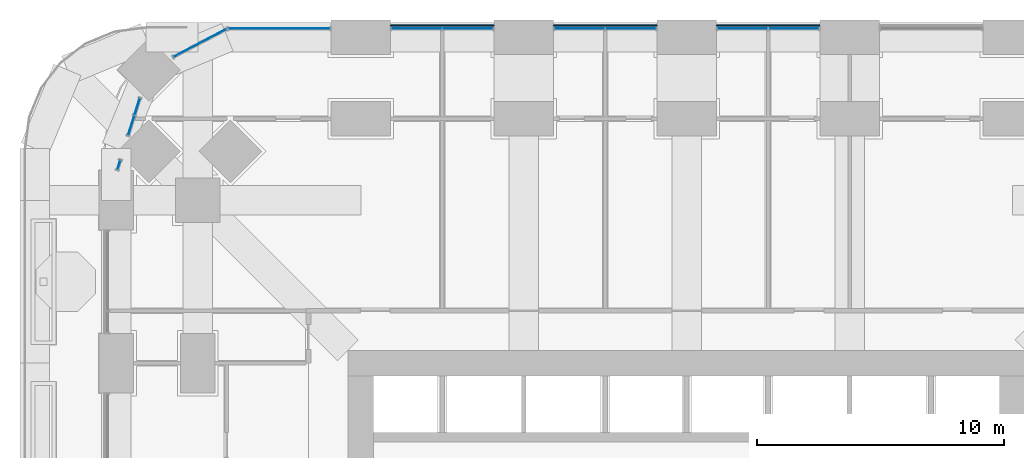
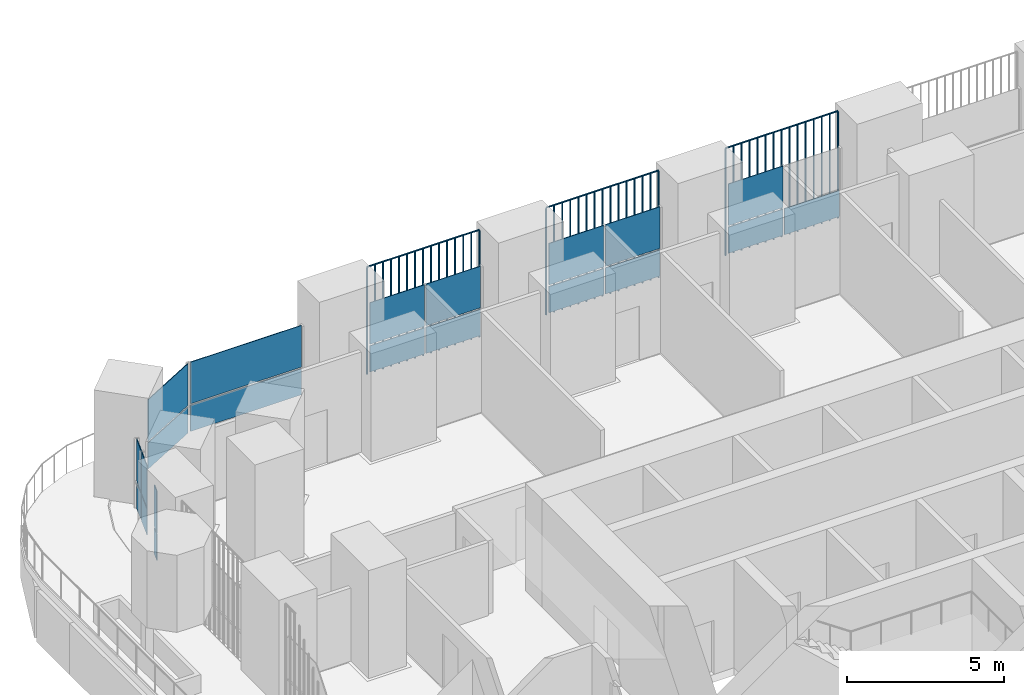
# One storey, part 15 of 27: 24 plates, 7 elements without a shape of their own.
"""IFC4 building model written with IfcOpenShell, lengths in metres."""

from ifc_helpers import new_model, si_unit, direction, frame, origin, origin_2d, place, context, subcontext, project, spatial, polyline, rectangle, outline, extrude, material, layer, layer_set, type_object, element, aggregate, save


model = new_model("IFC4")

# Units and contexts
model_context = context("Model", 3, precision=1e-05, world=origin(), true_north=direction((0.0, 1.0)))
body_context = subcontext(model_context, "Body", "Model", "MODEL_VIEW")
ifc_project = project(units=[si_unit("LENGTHUNIT", "METRE"), si_unit("AREAUNIT", "SQUARE_METRE"), si_unit("VOLUMEUNIT", "CUBIC_METRE"), si_unit("PLANEANGLEUNIT", "RADIAN"), si_unit("MASSUNIT", "GRAM", prefix="KILO")], contexts=[model_context])

# Site, building, storey
site_placement = place(None, origin())
site = spatial("IfcSite", under=ifc_project, at=site_placement, CompositionType="ELEMENT")
building_placement = place(site_placement, origin())
building = spatial("IfcBuilding", under=site, at=building_placement, Name="Cobogo Forest Laboratory Tower", CompositionType="ELEMENT")
storey_placement = place(building_placement, frame((0.0, 0.0, 82.199951171875)))
storey = spatial("IfcBuildingStorey", under=building, at=storey_placement, Name="L18", CompositionType="ELEMENT", Elevation=82.199951171875)

# Curtain wall, plates
ifc_material_1 = material(Name="Aluminium curtain wall", Category="aluminium")
curtain_wall_type = type_object("IfcCurtainWallType", Name="CW-1 unitised curtain wall, clear glazing, laboratory floors zones A and B", PredefinedType="USERDEFINED", material=ifc_material_1)
curtain_wall_1_placement = place(storey_placement, origin())
curtain_wall_1 = element("IfcCurtainWall", 1, at=curtain_wall_1_placement, inside=storey, type_object=curtain_wall_type, Name="Curtain wall 20 L18", ObjectType="UNITISED CURTAIN WALL", PredefinedType="USERDEFINED")
ifc_material_2 = material(Name="Clear insulated glass", Category="glass")
ifc_layer = layer(ifc_material_2, 0.028076171875)
ifc_layer_set = layer_set([ifc_layer], Name="GP-1 clear insulated glass unit 28")
plate_type_1 = type_object("IfcPlateType", Name="GP-1 clear insulated glass unit 28", PredefinedType="CURTAIN_PANEL", material=ifc_layer_set)
plate_1_placement = place(storey_placement, frame((30.735107421875, 46.550048828125, 0.0), z_axis=(0.0, 0.0, 1.0), x_axis=(-1.0, 0.0, 0.0)))
plate_1 = element("IfcPlate", 2, at=plate_1_placement, type_object=plate_type_1, Name="CW-1 panel 1.1", PredefinedType="CURTAIN_PANEL", context=body_context, shape_type="SweptSolid", body=[
    extrude(rectangle(XDim=2.010009765625, YDim=0.028076171875, at=origin_2d()), origin(), (0.0, 0.0, 1.0), 1.02001953125),
])
plate_2_placement = place(storey_placement, frame((28.6650390625, 46.550048828125, 0.0), z_axis=(0.0, 0.0, 1.0), x_axis=(-1.0, 0.0, 0.0)))
plate_2 = element("IfcPlate", 3, at=plate_2_placement, type_object=plate_type_1, Name="CW-1 panel 2.1", PredefinedType="CURTAIN_PANEL", context=body_context, shape_type="SweptSolid", body=[
    extrude(rectangle(XDim=2.010009765625, YDim=0.028076171875, at=origin_2d()), origin(), (0.0, 0.0, 1.0), 1.02001953125),
])
plate_3_placement = place(storey_placement, frame((28.6650390625, 46.550048828125, 1.080078125), z_axis=(0.0, 0.0, 1.0), x_axis=(-1.0, 0.0, 0.0)))
plate_3 = element("IfcPlate", 4, at=plate_3_placement, type_object=plate_type_1, Name="CW-1 panel 2.2", PredefinedType="CURTAIN_PANEL", context=body_context, shape_type="SweptSolid", body=[
    extrude(rectangle(XDim=2.010009765625, YDim=0.028076171875, at=origin_2d()), origin(), (0.0, 0.0, 1.0), 1.6201171875),
])
aggregate(curtain_wall_1, [plate_1, plate_2, plate_3])

curtain_wall_2_placement = place(storey_placement, origin())
curtain_wall_2 = element("IfcCurtainWall", 5, at=curtain_wall_2_placement, inside=storey, type_object=curtain_wall_type, Name="Curtain wall 21 L18", ObjectType="UNITISED CURTAIN WALL", PredefinedType="USERDEFINED")
plate_4_placement = place(storey_placement, frame((24.135009765625, 46.550048828125, 0.0), z_axis=(0.0, 0.0, 1.0), x_axis=(-1.0, 0.0, 0.0)))
plate_4 = element("IfcPlate", 6, at=plate_4_placement, type_object=plate_type_1, Name="CW-1 panel 1.1", PredefinedType="CURTAIN_PANEL", context=body_context, shape_type="SweptSolid", body=[
    extrude(rectangle(XDim=2.010009765625, YDim=0.028076171875, at=origin_2d()), origin(), (0.0, 0.0, 1.0), 1.02001953125),
])
plate_5_placement = place(storey_placement, frame((24.135009765625, 46.550048828125, 1.080078125), z_axis=(0.0, 0.0, 1.0), x_axis=(-1.0, 0.0, 0.0)))
plate_5 = element("IfcPlate", 7, at=plate_5_placement, type_object=plate_type_1, Name="CW-1 panel 1.2", PredefinedType="CURTAIN_PANEL", context=body_context, shape_type="SweptSolid", body=[
    extrude(rectangle(XDim=2.010009765625, YDim=0.028076171875, at=origin_2d()), origin(), (0.0, 0.0, 1.0), 1.6201171875),
])
plate_6_placement = place(storey_placement, frame((22.06494140625, 46.550048828125, 0.0), z_axis=(0.0, 0.0, 1.0), x_axis=(-1.0, 0.0, 0.0)))
plate_6 = element("IfcPlate", 8, at=plate_6_placement, type_object=plate_type_1, Name="CW-1 panel 2.1", PredefinedType="CURTAIN_PANEL", context=body_context, shape_type="SweptSolid", body=[
    extrude(rectangle(XDim=2.010009765625, YDim=0.028076171875, at=origin_2d()), origin(), (0.0, 0.0, 1.0), 1.02001953125),
])
plate_7_placement = place(storey_placement, frame((22.06494140625, 46.550048828125, 1.080078125), z_axis=(0.0, 0.0, 1.0), x_axis=(-1.0, 0.0, 0.0)))
plate_7 = element("IfcPlate", 9, at=plate_7_placement, type_object=plate_type_1, Name="CW-1 panel 2.2", PredefinedType="CURTAIN_PANEL", context=body_context, shape_type="SweptSolid", body=[
    extrude(rectangle(XDim=2.010009765625, YDim=0.028076171875, at=origin_2d()), origin(), (0.0, 0.0, 1.0), 1.6201171875),
])
aggregate(curtain_wall_2, [plate_4, plate_5, plate_6, plate_7])

curtain_wall_3_placement = place(storey_placement, origin())
curtain_wall_3 = element("IfcCurtainWall", 10, at=curtain_wall_3_placement, inside=storey, type_object=curtain_wall_type, Name="Curtain wall 22 L18", ObjectType="UNITISED CURTAIN WALL", PredefinedType="USERDEFINED")
plate_8_placement = place(storey_placement, frame((17.534912109375, 46.550048828125, 0.0), z_axis=(0.0, 0.0, 1.0), x_axis=(-1.0, 0.0, 0.0)))
plate_8 = element("IfcPlate", 11, at=plate_8_placement, type_object=plate_type_1, Name="CW-1 panel 1.1", PredefinedType="CURTAIN_PANEL", context=body_context, shape_type="SweptSolid", body=[
    extrude(rectangle(XDim=2.010009765625, YDim=0.028076171875, at=origin_2d()), origin(), (0.0, 0.0, 1.0), 1.02001953125),
])
plate_9_placement = place(storey_placement, frame((17.534912109375, 46.550048828125, 1.080078125), z_axis=(0.0, 0.0, 1.0), x_axis=(-1.0, 0.0, 0.0)))
plate_9 = element("IfcPlate", 12, at=plate_9_placement, type_object=plate_type_1, Name="CW-1 panel 1.2", PredefinedType="CURTAIN_PANEL", context=body_context, shape_type="SweptSolid", body=[
    extrude(rectangle(XDim=2.010009765625, YDim=0.028076171875, at=origin_2d()), origin(), (0.0, 0.0, 1.0), 1.6201171875),
])
plate_10_placement = place(storey_placement, frame((15.465087890625, 46.550048828125, 0.0), z_axis=(0.0, 0.0, 1.0), x_axis=(-1.0, 0.0, 0.0)))
plate_10 = element("IfcPlate", 13, at=plate_10_placement, type_object=plate_type_1, Name="CW-1 panel 2.1", PredefinedType="CURTAIN_PANEL", context=body_context, shape_type="SweptSolid", body=[
    extrude(rectangle(XDim=2.010009765625, YDim=0.028076171875, at=origin_2d()), origin(), (0.0, 0.0, 1.0), 1.02001953125),
])
plate_11_placement = place(storey_placement, frame((15.465087890625, 46.550048828125, 1.080078125), z_axis=(0.0, 0.0, 1.0), x_axis=(-1.0, 0.0, 0.0)))
plate_11 = element("IfcPlate", 14, at=plate_11_placement, type_object=plate_type_1, Name="CW-1 panel 2.2", PredefinedType="CURTAIN_PANEL", context=body_context, shape_type="SweptSolid", body=[
    extrude(rectangle(XDim=2.010009765625, YDim=0.028076171875, at=origin_2d()), origin(), (0.0, 0.0, 1.0), 1.6201171875),
])
aggregate(curtain_wall_3, [plate_8, plate_9, plate_10, plate_11])

curtain_wall_4_placement = place(storey_placement, origin())
curtain_wall_4 = element("IfcCurtainWall", 15, at=curtain_wall_4_placement, inside=storey, type_object=curtain_wall_type, Name="Curtain wall 23 L18", ObjectType="UNITISED CURTAIN WALL", PredefinedType="USERDEFINED")
plate_12_placement = place(storey_placement, frame((9.89990234375, 46.550048828125, 0.0), z_axis=(0.0, 0.0, 1.0), x_axis=(-1.0, 0.0, 0.0)))
plate_12 = element("IfcPlate", 16, at=plate_12_placement, type_object=plate_type_1, Name="CW-1 panel 1.1", PredefinedType="CURTAIN_PANEL", context=body_context, shape_type="SweptSolid", body=[
    extrude(rectangle(XDim=4.080078125, YDim=0.028076171875, at=origin_2d()), origin(), (0.0, 0.0, 1.0), 1.02001953125),
])
plate_13_placement = place(storey_placement, frame((9.89990234375, 46.550048828125, 1.080078125), z_axis=(0.0, 0.0, 1.0), x_axis=(-1.0, 0.0, 0.0)))
plate_13 = element("IfcPlate", 17, at=plate_13_placement, type_object=plate_type_1, Name="CW-1 panel 1.2", PredefinedType="CURTAIN_PANEL", context=body_context, shape_type="SweptSolid", body=[
    extrude(rectangle(XDim=4.080078125, YDim=0.028076171875, at=origin_2d()), origin(), (0.0, 0.0, 1.0), 1.6201171875),
])
aggregate(curtain_wall_4, [plate_12, plate_13])

curtain_wall_5_placement = place(storey_placement, origin())
curtain_wall_5 = element("IfcCurtainWall", 18, at=curtain_wall_5_placement, inside=storey, type_object=curtain_wall_type, Name="Curtain wall 24 L18", ObjectType="UNITISED CURTAIN WALL", PredefinedType="USERDEFINED")
plate_14_placement = place(storey_placement, frame((6.686767578125, 45.966552734375, 0.0), z_axis=(0.0, 0.0, 1.0), x_axis=(-0.885686598126, -0.4642835878, 0.0)))
plate_14 = element("IfcPlate", 19, at=plate_14_placement, type_object=plate_type_1, Name="CW-1 panel 1.1", PredefinedType="CURTAIN_PANEL", context=body_context, shape_type="SweptSolid", body=[
    extrude(rectangle(XDim=2.3935546875, YDim=0.028076171875, at=origin_2d()), origin(), (0.0, 0.0, 1.0), 1.02001953125),
])
plate_15_placement = place(storey_placement, frame((6.686767578125, 45.966552734375, 1.080078125), z_axis=(0.0, 0.0, 1.0), x_axis=(-0.885686598126, -0.4642835878, 0.0)))
plate_15 = element("IfcPlate", 20, at=plate_15_placement, type_object=plate_type_1, Name="CW-1 panel 1.2", PredefinedType="CURTAIN_PANEL", context=body_context, shape_type="SweptSolid", body=[
    extrude(rectangle(XDim=2.3935546875, YDim=0.028076171875, at=origin_2d()), origin(), (0.0, 0.0, 1.0), 1.6201171875),
])
aggregate(curtain_wall_5, [plate_14, plate_15])

curtain_wall_6_placement = place(storey_placement, origin())
curtain_wall_6 = element("IfcCurtainWall", 21, at=curtain_wall_6_placement, inside=storey, type_object=curtain_wall_type, Name="Curtain wall 25 L18", ObjectType="UNITISED CURTAIN WALL", PredefinedType="USERDEFINED")
plate_16_placement = place(storey_placement, frame((4.1484375, 43.39453125, 0.0), z_axis=(0.0, 0.0, 1.0), x_axis=(-0.301135106076, -0.953581484661, 0.0)))
plate_16 = element("IfcPlate", 22, at=plate_16_placement, type_object=plate_type_1, Name="CW-1 panel 1.1", PredefinedType="CURTAIN_PANEL", context=body_context, shape_type="SweptSolid", body=[
    extrude(rectangle(XDim=0.677490234375, YDim=0.028076171875, at=origin_2d()), origin(), (0.0, 0.0, 1.0), 1.02001953125),
])
plate_17_placement = place(storey_placement, frame((4.1484375, 43.39453125, 1.080078125), z_axis=(0.0, 0.0, 1.0), x_axis=(-0.301135106076, -0.953581484661, 0.0)))
plate_17 = element("IfcPlate", 23, at=plate_17_placement, type_object=plate_type_1, Name="CW-1 panel 1.2", PredefinedType="CURTAIN_PANEL", context=body_context, shape_type="SweptSolid", body=[
    extrude(rectangle(XDim=0.677490234375, YDim=0.028076171875, at=origin_2d()), origin(), (0.0, 0.0, 1.0), 1.6201171875),
])
plate_18_placement = place(storey_placement, frame((3.90673828125, 42.629638671875, 0.0), z_axis=(0.0, 0.0, 1.0), x_axis=(-0.301135106076, -0.953581484661, 0.0)))
plate_18 = element("IfcPlate", 24, at=plate_18_placement, type_object=plate_type_1, Name="CW-1 panel 2.1", PredefinedType="CURTAIN_PANEL", context=body_context, shape_type="SweptSolid", body=[
    extrude(rectangle(XDim=0.806884765625, YDim=0.028076171875, at=origin_2d()), origin(), (0.0, 0.0, 1.0), 1.02001953125),
])
plate_19_placement = place(storey_placement, frame((3.90673828125, 42.629638671875, 1.080078125), z_axis=(0.0, 0.0, 1.0), x_axis=(-0.301135106076, -0.953581484661, 0.0)))
plate_19 = element("IfcPlate", 25, at=plate_19_placement, type_object=plate_type_1, Name="CW-1 panel 2.2", PredefinedType="CURTAIN_PANEL", context=body_context, shape_type="SweptSolid", body=[
    extrude(rectangle(XDim=0.806884765625, YDim=0.028076171875, at=origin_2d()), origin(), (0.0, 0.0, 1.0), 1.6201171875),
])
aggregate(curtain_wall_6, [plate_16, plate_17, plate_18, plate_19])

curtain_wall_7_placement = place(storey_placement, origin())
curtain_wall_7 = element("IfcCurtainWall", 26, at=curtain_wall_7_placement, inside=storey, type_object=curtain_wall_type, Name="Curtain wall 26 L18", ObjectType="UNITISED CURTAIN WALL", PredefinedType="USERDEFINED")
plate_20_placement = place(storey_placement, frame((3.402587890625, 41.033447265625, 0.0), z_axis=(0.0, 0.0, 1.0), x_axis=(-0.301134593201, -0.953581646624, 0.0)))
plate_20 = element("IfcPlate", 27, at=plate_20_placement, type_object=plate_type_1, Name="CW-1 panel 1.1", PredefinedType="CURTAIN_PANEL", context=body_context, shape_type="SweptSolid", body=[
    extrude(rectangle(XDim=0.36962890625, YDim=0.028076171875, at=origin_2d()), origin(), (0.0, 0.0, 1.0), 1.02001953125),
])
plate_21_placement = place(storey_placement, frame((3.402587890625, 41.033447265625, 1.080078125), z_axis=(0.0, 0.0, 1.0), x_axis=(-0.301134593201, -0.953581646624, 0.0)))
plate_21 = element("IfcPlate", 28, at=plate_21_placement, type_object=plate_type_1, Name="CW-1 panel 1.2", PredefinedType="CURTAIN_PANEL", context=body_context, shape_type="SweptSolid", body=[
    extrude(rectangle(XDim=0.36962890625, YDim=0.028076171875, at=origin_2d()), origin(), (0.0, 0.0, 1.0), 1.6201171875),
])
aggregate(curtain_wall_7, [plate_20, plate_21])

# Plates
ifc_material_3 = material(Name="Terracotta", Category="masonry")
plate_type_2 = type_object("IfcPlateType", Name="TB1 terracotta baguette screen", PredefinedType="USERDEFINED", material=ifc_material_3)
plate_22_placement = place(storey_placement, frame((14.43115234375, 46.677978515625, -0.14990234375)))
element("IfcPlate", 29, at=plate_22_placement, inside=storey, type_object=plate_type_2, Name="Baguette screen N1 L18", ObjectType="BAGUETTE SCREEN", PredefinedType="USERDEFINED", context=body_context, shape_type="SweptSolid", body=[
    extrude(outline(polyline([(0.02880859375, 0.011962890625), (0.011962890625, 0.02880859375), (-0.011962890625, 0.02880859375), (-0.02880859375, 0.011962890625), (-0.02880859375, -0.011962890625), (-0.011962890625, -0.02880859375), (0.011962890625, -0.02880859375), (0.02880859375, -0.011962890625), (0.02880859375, 0.011962890625)])), frame((0.0, 0.0, 4.168701171875), z_axis=(1.0, 0.0, 0.0), x_axis=(0.0, 1.0, 0.0)), (0.0, 0.0, 1.0), 4.1376953125),
    extrude(outline(polyline([(0.02880859375, 0.011962890625), (0.011962890625, 0.02880859375), (-0.011962890625, 0.02880859375), (-0.02880859375, 0.011962890625), (-0.02880859375, -0.011962890625), (-0.011962890625, -0.02880859375), (0.011962890625, -0.02880859375), (0.02880859375, -0.011962890625), (0.02880859375, 0.011962890625)])), origin(), (0.0, 0.0, 1.0), 4.137451171875),
    extrude(outline(polyline([(0.02880859375, 0.011962890625), (0.011962890625, 0.02880859375), (-0.011962890625, 0.02880859375), (-0.02880859375, 0.011962890625), (-0.02880859375, -0.011962890625), (-0.011962890625, -0.02880859375), (0.011962890625, -0.02880859375), (0.02880859375, -0.011962890625), (0.02880859375, 0.011962890625)])), frame((0.295654296875, 0.0, 0.0)), (0.0, 0.0, 1.0), 4.137451171875),
    extrude(outline(polyline([(0.02880859375, 0.011962890625), (0.011962890625, 0.02880859375), (-0.011962890625, 0.02880859375), (-0.02880859375, 0.011962890625), (-0.02880859375, -0.011962890625), (-0.011962890625, -0.02880859375), (0.011962890625, -0.02880859375), (0.02880859375, -0.011962890625), (0.02880859375, 0.011962890625)])), frame((0.591064453125, 0.0, 0.0)), (0.0, 0.0, 1.0), 4.137451171875),
    extrude(outline(polyline([(0.02880859375, 0.011962890625), (0.011962890625, 0.02880859375), (-0.011962890625, 0.02880859375), (-0.02880859375, 0.011962890625), (-0.02880859375, -0.011962890625), (-0.011962890625, -0.02880859375), (0.011962890625, -0.02880859375), (0.02880859375, -0.011962890625), (0.02880859375, 0.011962890625)])), frame((0.88671875, 0.0, 0.0)), (0.0, 0.0, 1.0), 4.137451171875),
    extrude(outline(polyline([(0.02880859375, 0.011962890625), (0.011962890625, 0.02880859375), (-0.011962890625, 0.02880859375), (-0.02880859375, 0.011962890625), (-0.02880859375, -0.011962890625), (-0.011962890625, -0.02880859375), (0.011962890625, -0.02880859375), (0.02880859375, -0.011962890625), (0.02880859375, 0.011962890625)])), frame((1.18212890625, 0.0, 0.0)), (0.0, 0.0, 1.0), 4.137451171875),
    extrude(outline(polyline([(0.02880859375, 0.011962890625), (0.011962890625, 0.02880859375), (-0.011962890625, 0.02880859375), (-0.02880859375, 0.011962890625), (-0.02880859375, -0.011962890625), (-0.011962890625, -0.02880859375), (0.011962890625, -0.02880859375), (0.02880859375, -0.011962890625), (0.02880859375, 0.011962890625)])), frame((1.477783203125, 0.0, 0.0)), (0.0, 0.0, 1.0), 4.137451171875),
    extrude(outline(polyline([(0.02880859375, 0.011962890625), (0.011962890625, 0.02880859375), (-0.011962890625, 0.02880859375), (-0.02880859375, 0.011962890625), (-0.02880859375, -0.011962890625), (-0.011962890625, -0.02880859375), (0.011962890625, -0.02880859375), (0.02880859375, -0.011962890625), (0.02880859375, 0.011962890625)])), frame((1.773193359375, 0.0, 0.0)), (0.0, 0.0, 1.0), 4.137451171875),
    extrude(outline(polyline([(0.02880859375, 0.011962890625), (0.011962890625, 0.02880859375), (-0.011962890625, 0.02880859375), (-0.02880859375, 0.011962890625), (-0.02880859375, -0.011962890625), (-0.011962890625, -0.02880859375), (0.011962890625, -0.02880859375), (0.02880859375, -0.011962890625), (0.02880859375, 0.011962890625)])), frame((2.06884765625, 0.0, 0.0)), (0.0, 0.0, 1.0), 4.137451171875),
    extrude(outline(polyline([(0.02880859375, 0.011962890625), (0.011962890625, 0.02880859375), (-0.011962890625, 0.02880859375), (-0.02880859375, 0.011962890625), (-0.02880859375, -0.011962890625), (-0.011962890625, -0.02880859375), (0.011962890625, -0.02880859375), (0.02880859375, -0.011962890625), (0.02880859375, 0.011962890625)])), frame((2.364501953125, 0.0, 0.0)), (0.0, 0.0, 1.0), 4.137451171875),
    extrude(outline(polyline([(0.02880859375, 0.011962890625), (0.011962890625, 0.02880859375), (-0.011962890625, 0.02880859375), (-0.02880859375, 0.011962890625), (-0.02880859375, -0.011962890625), (-0.011962890625, -0.02880859375), (0.011962890625, -0.02880859375), (0.02880859375, -0.011962890625), (0.02880859375, 0.011962890625)])), frame((2.659912109375, 0.0, 0.0)), (0.0, 0.0, 1.0), 4.137451171875),
    extrude(outline(polyline([(0.02880859375, 0.011962890625), (0.011962890625, 0.02880859375), (-0.011962890625, 0.02880859375), (-0.02880859375, 0.011962890625), (-0.02880859375, -0.011962890625), (-0.011962890625, -0.02880859375), (0.011962890625, -0.02880859375), (0.02880859375, -0.011962890625), (0.02880859375, 0.011962890625)])), frame((2.95556640625, 0.0, 0.0)), (0.0, 0.0, 1.0), 4.137451171875),
    extrude(outline(polyline([(0.02880859375, 0.011962890625), (0.011962890625, 0.02880859375), (-0.011962890625, 0.02880859375), (-0.02880859375, 0.011962890625), (-0.02880859375, -0.011962890625), (-0.011962890625, -0.02880859375), (0.011962890625, -0.02880859375), (0.02880859375, -0.011962890625), (0.02880859375, 0.011962890625)])), frame((3.2509765625, 0.0, 0.0)), (0.0, 0.0, 1.0), 4.137451171875),
    extrude(outline(polyline([(0.02880859375, 0.011962890625), (0.011962890625, 0.02880859375), (-0.011962890625, 0.02880859375), (-0.02880859375, 0.011962890625), (-0.02880859375, -0.011962890625), (-0.011962890625, -0.02880859375), (0.011962890625, -0.02880859375), (0.02880859375, -0.011962890625), (0.02880859375, 0.011962890625)])), frame((3.546630859375, 0.0, 0.0)), (0.0, 0.0, 1.0), 4.137451171875),
    extrude(outline(polyline([(0.02880859375, 0.011962890625), (0.011962890625, 0.02880859375), (-0.011962890625, 0.02880859375), (-0.02880859375, 0.011962890625), (-0.02880859375, -0.011962890625), (-0.011962890625, -0.02880859375), (0.011962890625, -0.02880859375), (0.02880859375, -0.011962890625), (0.02880859375, 0.011962890625)])), frame((3.842041015625, 0.0, 0.0)), (0.0, 0.0, 1.0), 4.137451171875),
    extrude(outline(polyline([(0.02880859375, 0.011962890625), (0.011962890625, 0.02880859375), (-0.011962890625, 0.02880859375), (-0.02880859375, 0.011962890625), (-0.02880859375, -0.011962890625), (-0.011962890625, -0.02880859375), (0.011962890625, -0.02880859375), (0.02880859375, -0.011962890625), (0.02880859375, 0.011962890625)])), frame((4.1376953125, 0.0, 0.0)), (0.0, 0.0, 1.0), 4.137451171875),
])
plate_23_placement = place(storey_placement, frame((21.03125, 46.677978515625, -0.14990234375)))
element("IfcPlate", 30, at=plate_23_placement, inside=storey, type_object=plate_type_2, Name="Baguette screen N2 L18", ObjectType="BAGUETTE SCREEN", PredefinedType="USERDEFINED", context=body_context, shape_type="SweptSolid", body=[
    extrude(outline(polyline([(0.02880859375, 0.011962890625), (0.011962890625, 0.02880859375), (-0.011962890625, 0.02880859375), (-0.02880859375, 0.011962890625), (-0.02880859375, -0.011962890625), (-0.011962890625, -0.02880859375), (0.011962890625, -0.02880859375), (0.02880859375, -0.011962890625), (0.02880859375, 0.011962890625)])), frame((0.0, 0.0, 4.168701171875), z_axis=(1.0, 0.0, 0.0), x_axis=(0.0, 1.0, 0.0)), (0.0, 0.0, 1.0), 4.137451171875),
    extrude(outline(polyline([(0.02880859375, 0.011962890625), (0.011962890625, 0.02880859375), (-0.011962890625, 0.02880859375), (-0.02880859375, 0.011962890625), (-0.02880859375, -0.011962890625), (-0.011962890625, -0.02880859375), (0.011962890625, -0.02880859375), (0.02880859375, -0.011962890625), (0.02880859375, 0.011962890625)])), origin(), (0.0, 0.0, 1.0), 4.137451171875),
    extrude(outline(polyline([(0.02880859375, 0.011962890625), (0.011962890625, 0.02880859375), (-0.011962890625, 0.02880859375), (-0.02880859375, 0.011962890625), (-0.02880859375, -0.011962890625), (-0.011962890625, -0.02880859375), (0.011962890625, -0.02880859375), (0.02880859375, -0.011962890625), (0.02880859375, 0.011962890625)])), frame((0.29541015625, 0.0, 0.0)), (0.0, 0.0, 1.0), 4.137451171875),
    extrude(outline(polyline([(0.02880859375, 0.011962890625), (0.011962890625, 0.02880859375), (-0.011962890625, 0.02880859375), (-0.02880859375, 0.011962890625), (-0.02880859375, -0.011962890625), (-0.011962890625, -0.02880859375), (0.011962890625, -0.02880859375), (0.02880859375, -0.011962890625), (0.02880859375, 0.011962890625)])), frame((0.591064453125, 0.0, 0.0)), (0.0, 0.0, 1.0), 4.137451171875),
    extrude(outline(polyline([(0.02880859375, 0.011962890625), (0.011962890625, 0.02880859375), (-0.011962890625, 0.02880859375), (-0.02880859375, 0.011962890625), (-0.02880859375, -0.011962890625), (-0.011962890625, -0.02880859375), (0.011962890625, -0.02880859375), (0.02880859375, -0.011962890625), (0.02880859375, 0.011962890625)])), frame((0.88671875, 0.0, 0.0)), (0.0, 0.0, 1.0), 4.137451171875),
    extrude(outline(polyline([(0.02880859375, 0.011962890625), (0.011962890625, 0.02880859375), (-0.011962890625, 0.02880859375), (-0.02880859375, 0.011962890625), (-0.02880859375, -0.011962890625), (-0.011962890625, -0.02880859375), (0.011962890625, -0.02880859375), (0.02880859375, -0.011962890625), (0.02880859375, 0.011962890625)])), frame((1.18212890625, 0.0, 0.0)), (0.0, 0.0, 1.0), 4.137451171875),
    extrude(outline(polyline([(0.02880859375, 0.011962890625), (0.011962890625, 0.02880859375), (-0.011962890625, 0.02880859375), (-0.02880859375, 0.011962890625), (-0.02880859375, -0.011962890625), (-0.011962890625, -0.02880859375), (0.011962890625, -0.02880859375), (0.02880859375, -0.011962890625), (0.02880859375, 0.011962890625)])), frame((1.4775390625, 0.0, 0.0)), (0.0, 0.0, 1.0), 4.137451171875),
    extrude(outline(polyline([(0.02880859375, 0.011962890625), (0.011962890625, 0.02880859375), (-0.011962890625, 0.02880859375), (-0.02880859375, 0.011962890625), (-0.02880859375, -0.011962890625), (-0.011962890625, -0.02880859375), (0.011962890625, -0.02880859375), (0.02880859375, -0.011962890625), (0.02880859375, 0.011962890625)])), frame((1.773193359375, 0.0, 0.0)), (0.0, 0.0, 1.0), 4.137451171875),
    extrude(outline(polyline([(0.02880859375, 0.011962890625), (0.011962890625, 0.02880859375), (-0.011962890625, 0.02880859375), (-0.02880859375, 0.011962890625), (-0.02880859375, -0.011962890625), (-0.011962890625, -0.02880859375), (0.011962890625, -0.02880859375), (0.02880859375, -0.011962890625), (0.02880859375, 0.011962890625)])), frame((2.06884765625, 0.0, 0.0)), (0.0, 0.0, 1.0), 4.137451171875),
    extrude(outline(polyline([(0.02880859375, 0.011962890625), (0.011962890625, 0.02880859375), (-0.011962890625, 0.02880859375), (-0.02880859375, 0.011962890625), (-0.02880859375, -0.011962890625), (-0.011962890625, -0.02880859375), (0.011962890625, -0.02880859375), (0.02880859375, -0.011962890625), (0.02880859375, 0.011962890625)])), frame((2.3642578125, 0.0, 0.0)), (0.0, 0.0, 1.0), 4.137451171875),
    extrude(outline(polyline([(0.02880859375, 0.011962890625), (0.011962890625, 0.02880859375), (-0.011962890625, 0.02880859375), (-0.02880859375, 0.011962890625), (-0.02880859375, -0.011962890625), (-0.011962890625, -0.02880859375), (0.011962890625, -0.02880859375), (0.02880859375, -0.011962890625), (0.02880859375, 0.011962890625)])), frame((2.65966796875, 0.0, 0.0)), (0.0, 0.0, 1.0), 4.137451171875),
    extrude(outline(polyline([(0.02880859375, 0.011962890625), (0.011962890625, 0.02880859375), (-0.011962890625, 0.02880859375), (-0.02880859375, 0.011962890625), (-0.02880859375, -0.011962890625), (-0.011962890625, -0.02880859375), (0.011962890625, -0.02880859375), (0.02880859375, -0.011962890625), (0.02880859375, 0.011962890625)])), frame((2.955322265625, 0.0, 0.0)), (0.0, 0.0, 1.0), 4.137451171875),
    extrude(outline(polyline([(0.02880859375, 0.011962890625), (0.011962890625, 0.02880859375), (-0.011962890625, 0.02880859375), (-0.02880859375, 0.011962890625), (-0.02880859375, -0.011962890625), (-0.011962890625, -0.02880859375), (0.011962890625, -0.02880859375), (0.02880859375, -0.011962890625), (0.02880859375, 0.011962890625)])), frame((3.2509765625, 0.0, 0.0)), (0.0, 0.0, 1.0), 4.137451171875),
    extrude(outline(polyline([(0.02880859375, 0.011962890625), (0.011962890625, 0.02880859375), (-0.011962890625, 0.02880859375), (-0.02880859375, 0.011962890625), (-0.02880859375, -0.011962890625), (-0.011962890625, -0.02880859375), (0.011962890625, -0.02880859375), (0.02880859375, -0.011962890625), (0.02880859375, 0.011962890625)])), frame((3.54638671875, 0.0, 0.0)), (0.0, 0.0, 1.0), 4.137451171875),
    extrude(outline(polyline([(0.02880859375, 0.011962890625), (0.011962890625, 0.02880859375), (-0.011962890625, 0.02880859375), (-0.02880859375, 0.011962890625), (-0.02880859375, -0.011962890625), (-0.011962890625, -0.02880859375), (0.011962890625, -0.02880859375), (0.02880859375, -0.011962890625), (0.02880859375, 0.011962890625)])), frame((3.841796875, 0.0, 0.0)), (0.0, 0.0, 1.0), 4.137451171875),
    extrude(outline(polyline([(0.02880859375, 0.011962890625), (0.011962890625, 0.02880859375), (-0.011962890625, 0.02880859375), (-0.02880859375, 0.011962890625), (-0.02880859375, -0.011962890625), (-0.011962890625, -0.02880859375), (0.011962890625, -0.02880859375), (0.02880859375, -0.011962890625), (0.02880859375, 0.011962890625)])), frame((4.137451171875, 0.0, 0.0)), (0.0, 0.0, 1.0), 4.137451171875),
])
plate_24_placement = place(storey_placement, frame((27.63134765625, 46.677978515625, -0.14990234375)))
element("IfcPlate", 31, at=plate_24_placement, inside=storey, type_object=plate_type_2, Name="Baguette screen N3 L18", ObjectType="BAGUETTE SCREEN", PredefinedType="USERDEFINED", context=body_context, shape_type="SweptSolid", body=[
    extrude(outline(polyline([(0.02880859375, 0.011962890625), (0.011962890625, 0.02880859375), (-0.011962890625, 0.02880859375), (-0.02880859375, 0.011962890625), (-0.02880859375, -0.011962890625), (-0.011962890625, -0.02880859375), (0.011962890625, -0.02880859375), (0.02880859375, -0.011962890625), (0.02880859375, 0.011962890625)])), frame((0.0, 0.0, 4.168701171875), z_axis=(1.0, 0.0, 0.0), x_axis=(0.0, 1.0, 0.0)), (0.0, 0.0, 1.0), 4.137451171875),
    extrude(outline(polyline([(0.02880859375, 0.011962890625), (0.011962890625, 0.02880859375), (-0.011962890625, 0.02880859375), (-0.02880859375, 0.011962890625), (-0.02880859375, -0.011962890625), (-0.011962890625, -0.02880859375), (0.011962890625, -0.02880859375), (0.02880859375, -0.011962890625), (0.02880859375, 0.011962890625)])), origin(), (0.0, 0.0, 1.0), 4.137451171875),
    extrude(outline(polyline([(0.02880859375, 0.011962890625), (0.011962890625, 0.02880859375), (-0.011962890625, 0.02880859375), (-0.02880859375, 0.011962890625), (-0.02880859375, -0.011962890625), (-0.011962890625, -0.02880859375), (0.011962890625, -0.02880859375), (0.02880859375, -0.011962890625), (0.02880859375, 0.011962890625)])), frame((0.29541015625, 0.0, 0.0)), (0.0, 0.0, 1.0), 4.137451171875),
    extrude(outline(polyline([(0.02880859375, 0.011962890625), (0.011962890625, 0.02880859375), (-0.011962890625, 0.02880859375), (-0.02880859375, 0.011962890625), (-0.02880859375, -0.011962890625), (-0.011962890625, -0.02880859375), (0.011962890625, -0.02880859375), (0.02880859375, -0.011962890625), (0.02880859375, 0.011962890625)])), frame((0.591064453125, 0.0, 0.0)), (0.0, 0.0, 1.0), 4.137451171875),
    extrude(outline(polyline([(0.02880859375, 0.011962890625), (0.011962890625, 0.02880859375), (-0.011962890625, 0.02880859375), (-0.02880859375, 0.011962890625), (-0.02880859375, -0.011962890625), (-0.011962890625, -0.02880859375), (0.011962890625, -0.02880859375), (0.02880859375, -0.011962890625), (0.02880859375, 0.011962890625)])), frame((0.88671875, 0.0, 0.0)), (0.0, 0.0, 1.0), 4.137451171875),
    extrude(outline(polyline([(0.02880859375, 0.011962890625), (0.011962890625, 0.02880859375), (-0.011962890625, 0.02880859375), (-0.02880859375, 0.011962890625), (-0.02880859375, -0.011962890625), (-0.011962890625, -0.02880859375), (0.011962890625, -0.02880859375), (0.02880859375, -0.011962890625), (0.02880859375, 0.011962890625)])), frame((1.18212890625, 0.0, 0.0)), (0.0, 0.0, 1.0), 4.137451171875),
    extrude(outline(polyline([(0.02880859375, 0.011962890625), (0.011962890625, 0.02880859375), (-0.011962890625, 0.02880859375), (-0.02880859375, 0.011962890625), (-0.02880859375, -0.011962890625), (-0.011962890625, -0.02880859375), (0.011962890625, -0.02880859375), (0.02880859375, -0.011962890625), (0.02880859375, 0.011962890625)])), frame((1.4775390625, 0.0, 0.0)), (0.0, 0.0, 1.0), 4.137451171875),
    extrude(outline(polyline([(0.02880859375, 0.011962890625), (0.011962890625, 0.02880859375), (-0.011962890625, 0.02880859375), (-0.02880859375, 0.011962890625), (-0.02880859375, -0.011962890625), (-0.011962890625, -0.02880859375), (0.011962890625, -0.02880859375), (0.02880859375, -0.011962890625), (0.02880859375, 0.011962890625)])), frame((1.773193359375, 0.0, 0.0)), (0.0, 0.0, 1.0), 4.137451171875),
    extrude(outline(polyline([(0.02880859375, 0.011962890625), (0.011962890625, 0.02880859375), (-0.011962890625, 0.02880859375), (-0.02880859375, 0.011962890625), (-0.02880859375, -0.011962890625), (-0.011962890625, -0.02880859375), (0.011962890625, -0.02880859375), (0.02880859375, -0.011962890625), (0.02880859375, 0.011962890625)])), frame((2.06884765625, 0.0, 0.0)), (0.0, 0.0, 1.0), 4.137451171875),
    extrude(outline(polyline([(0.02880859375, 0.011962890625), (0.011962890625, 0.02880859375), (-0.011962890625, 0.02880859375), (-0.02880859375, 0.011962890625), (-0.02880859375, -0.011962890625), (-0.011962890625, -0.02880859375), (0.011962890625, -0.02880859375), (0.02880859375, -0.011962890625), (0.02880859375, 0.011962890625)])), frame((2.3642578125, 0.0, 0.0)), (0.0, 0.0, 1.0), 4.137451171875),
    extrude(outline(polyline([(0.02880859375, 0.011962890625), (0.011962890625, 0.02880859375), (-0.011962890625, 0.02880859375), (-0.02880859375, 0.011962890625), (-0.02880859375, -0.011962890625), (-0.011962890625, -0.02880859375), (0.011962890625, -0.02880859375), (0.02880859375, -0.011962890625), (0.02880859375, 0.011962890625)])), frame((2.65966796875, 0.0, 0.0)), (0.0, 0.0, 1.0), 4.137451171875),
    extrude(outline(polyline([(0.02880859375, 0.011962890625), (0.011962890625, 0.02880859375), (-0.011962890625, 0.02880859375), (-0.02880859375, 0.011962890625), (-0.02880859375, -0.011962890625), (-0.011962890625, -0.02880859375), (0.011962890625, -0.02880859375), (0.02880859375, -0.011962890625), (0.02880859375, 0.011962890625)])), frame((2.955322265625, 0.0, 0.0)), (0.0, 0.0, 1.0), 4.137451171875),
    extrude(outline(polyline([(0.02880859375, 0.011962890625), (0.011962890625, 0.02880859375), (-0.011962890625, 0.02880859375), (-0.02880859375, 0.011962890625), (-0.02880859375, -0.011962890625), (-0.011962890625, -0.02880859375), (0.011962890625, -0.02880859375), (0.02880859375, -0.011962890625), (0.02880859375, 0.011962890625)])), frame((3.2509765625, 0.0, 0.0)), (0.0, 0.0, 1.0), 4.137451171875),
    extrude(outline(polyline([(0.02880859375, 0.011962890625), (0.011962890625, 0.02880859375), (-0.011962890625, 0.02880859375), (-0.02880859375, 0.011962890625), (-0.02880859375, -0.011962890625), (-0.011962890625, -0.02880859375), (0.011962890625, -0.02880859375), (0.02880859375, -0.011962890625), (0.02880859375, 0.011962890625)])), frame((3.54638671875, 0.0, 0.0)), (0.0, 0.0, 1.0), 4.137451171875),
    extrude(outline(polyline([(0.02880859375, 0.011962890625), (0.011962890625, 0.02880859375), (-0.011962890625, 0.02880859375), (-0.02880859375, 0.011962890625), (-0.02880859375, -0.011962890625), (-0.011962890625, -0.02880859375), (0.011962890625, -0.02880859375), (0.02880859375, -0.011962890625), (0.02880859375, 0.011962890625)])), frame((3.841796875, 0.0, 0.0)), (0.0, 0.0, 1.0), 4.137451171875),
    extrude(outline(polyline([(0.02880859375, 0.011962890625), (0.011962890625, 0.02880859375), (-0.011962890625, 0.02880859375), (-0.02880859375, 0.011962890625), (-0.02880859375, -0.011962890625), (-0.011962890625, -0.02880859375), (0.011962890625, -0.02880859375), (0.02880859375, -0.011962890625), (0.02880859375, 0.011962890625)])), frame((4.137451171875, 0.0, 0.0)), (0.0, 0.0, 1.0), 4.137451171875),
])

save(model, "model.ifc")
